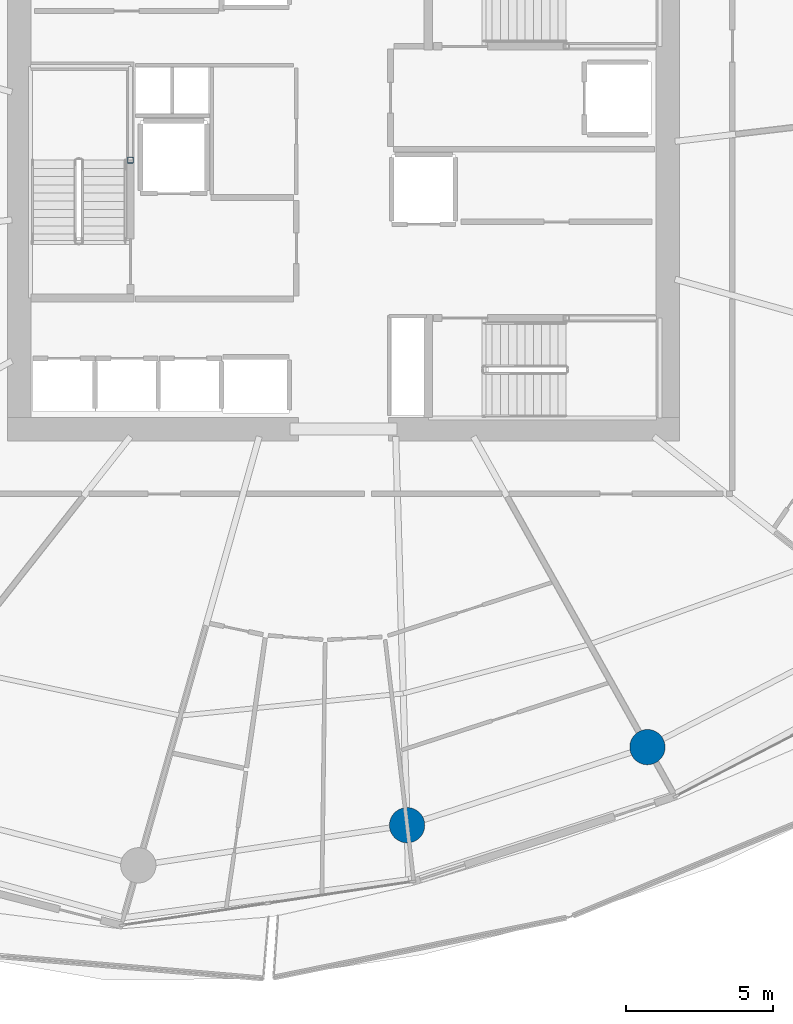
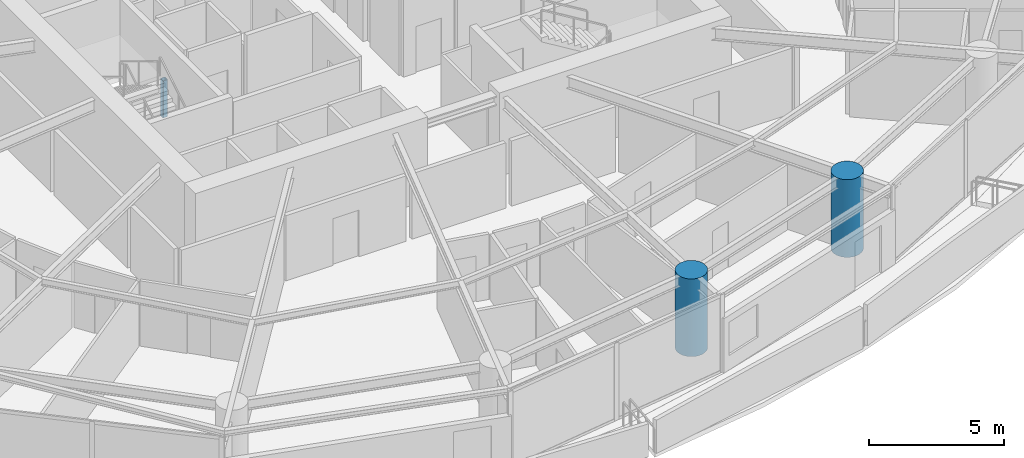
# One storey, part 2 of 23: 3 columns.
"""IFC4 building model written with IfcOpenShell, lengths in metres."""

from ifc_helpers import new_model, si_unit, direction, frame, origin, origin_2d, place, context, subcontext, project, spatial, hollow_rectangle, circle, extrude, material, material_profile, profile_set, type_object, element, save


model = new_model("IFC4")

# Units and contexts
model_context = context("Model", 3, precision=1e-05, world=origin(), true_north=direction((0.0, 1.0)))
body_context = subcontext(model_context, "Body", "Model", "MODEL_VIEW")
ifc_project = project(units=[si_unit("LENGTHUNIT", "METRE"), si_unit("AREAUNIT", "SQUARE_METRE"), si_unit("VOLUMEUNIT", "CUBIC_METRE"), si_unit("PLANEANGLEUNIT", "RADIAN"), si_unit("MASSUNIT", "GRAM", prefix="KILO")], contexts=[model_context])

# Site, building, storey
site_placement = place(None, origin())
site = spatial("IfcSite", under=ifc_project, at=site_placement, CompositionType="ELEMENT")
building_placement = place(site_placement, origin())
building = spatial("IfcBuilding", under=site, at=building_placement, Name="Kazma Halo Residences", CompositionType="ELEMENT")
storey_placement = place(building_placement, frame((0.0, 0.0, 101.39990234375)))
storey = spatial("IfcBuildingStorey", under=building, at=storey_placement, Name="L25", CompositionType="ELEMENT", Elevation=101.39990234375)

# Columns
ifc_material_1 = material(Name="Steel S355", Category="steel")
ifc_material_profile_1 = material_profile(ifc_material_1, hollow_rectangle(XDim=0.199951171875, YDim=0.199951171875, WallThickness=0.010009765625, InnerFilletRadius=0.010009765625, OuterFilletRadius=0.02001953125, at=origin_2d()), Name="SHS200x200x10")
ifc_profile_set_1 = profile_set([ifc_material_profile_1], Name="Steel S355")
column_type_1 = type_object("IfcColumnType", Name="COL-LP-SHS200", PredefinedType="COLUMN", material=ifc_profile_set_1)
column_placement = place(storey_placement, frame((41.179931640625, 42.75, 0.0), z_axis=(0.0, 0.0, 1.0), x_axis=(1.0, 0.0, 0.0)))
element("IfcColumn", 1, at=column_placement, inside=storey, type_object=column_type_1, Name="L25 ST-01 landing pilaster 1", PredefinedType="COLUMN", context=body_context, shape_type="SweptSolid", body=[
    extrude(hollow_rectangle(XDim=0.199951171875, YDim=0.199951171875, WallThickness=0.010009765625, InnerFilletRadius=0.010009765625, OuterFilletRadius=0.02001953125, at=origin_2d()), origin(), (0.0, 0.0, 1.0), 1.670166015625),
])
ifc_material_2 = material(Name="Concrete C80/95", Category="concrete")
ifc_material_profile_2 = material_profile(ifc_material_2, circle(Radius=0.60009765625, at=origin_2d()), Name="CIRC1200")
ifc_profile_set_2 = profile_set([ifc_material_profile_2], Name="Concrete C80/95")
column_type_2 = type_object("IfcColumnType", Name="COL-PERIM-1200", PredefinedType="COLUMN", material=ifc_profile_set_2)
for number, where, z_axis, x_axis, name in (
    (2, (50.58837890625, 20.130859375, 0.0), (0.0, 0.0, 1.0), (1.0, 0.0, 0.0), "L25 perimeter ring column P12"),
    (3, (58.76025390625, 22.7861328125, 0.0), (0.0, 0.0, 1.0), (1.0, 0.0, 0.0), "L25 perimeter ring column P13"),
):
    element("IfcColumn", number, at=place(storey_placement, frame(where, z_axis=z_axis, x_axis=x_axis)), inside=storey, type_object=column_type_2, Name=name, PredefinedType="COLUMN", context=body_context, shape_type="SweptSolid", body=[
        extrude(circle(Radius=0.60009765625, at=origin_2d()), origin(), (0.0, 0.0, 1.0), 3.5),
    ])

save(model, "model.ifc")
